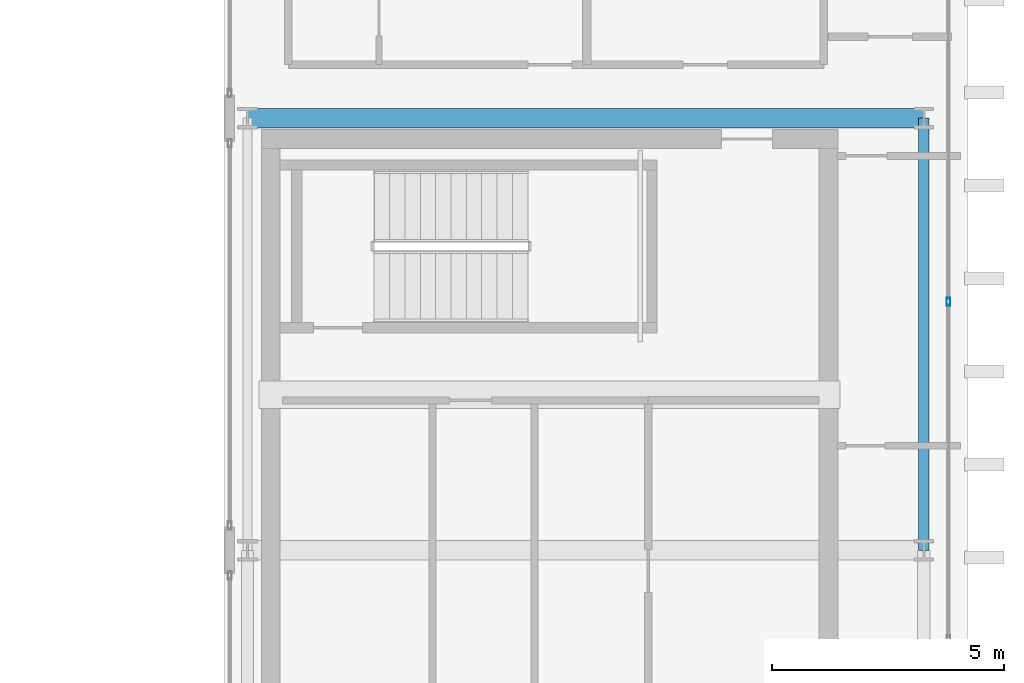
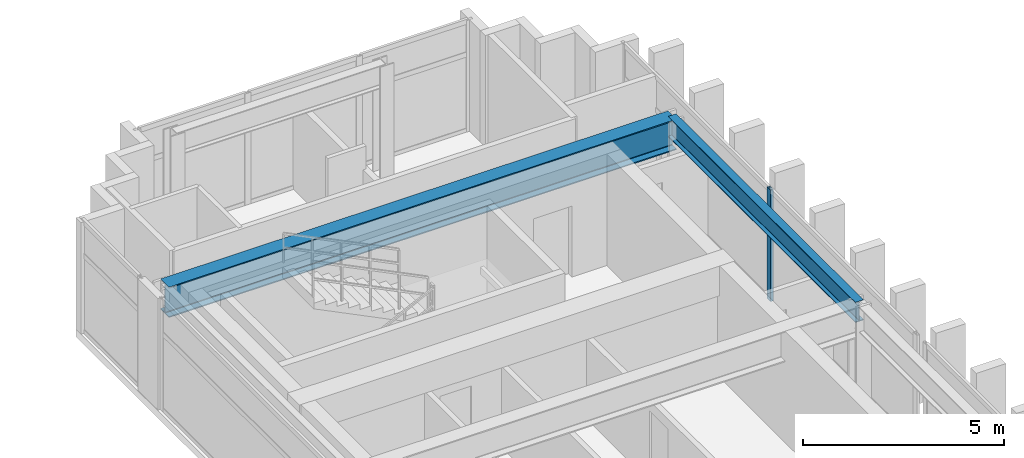
# One storey, part 14 of 25: 2 beams, 1 member, 1 element without a shape of its own.
"""IFC4 building model written with IfcOpenShell, lengths in metres."""

from ifc_helpers import new_model, si_unit, direction, frame, origin, origin_2d, place, context, subcontext, project, spatial, hollow_rectangle, i_section, extrude, source, transform, mapped, material, layer, layer_set, material_profile, profile_set, type_object, element, aggregate, save


model = new_model("IFC4")

# Units and contexts
model_context = context("Model", 3, precision=1e-05, world=origin(), true_north=direction((0.0, 1.0)))
body_context = subcontext(model_context, "Body", "Model", "MODEL_VIEW")
ifc_project = project(units=[si_unit("LENGTHUNIT", "METRE"), si_unit("AREAUNIT", "SQUARE_METRE"), si_unit("VOLUMEUNIT", "CUBIC_METRE"), si_unit("PLANEANGLEUNIT", "RADIAN"), si_unit("MASSUNIT", "GRAM", prefix="KILO")], contexts=[model_context])

# Site, building, storey
site_placement = place(None, origin())
site = spatial("IfcSite", under=ifc_project, at=site_placement, CompositionType="ELEMENT")
building_placement = place(site_placement, origin())
building = spatial("IfcBuilding", under=site, at=building_placement, Name="Ocotamira Hotel", CompositionType="ELEMENT")
storey_placement = place(building_placement, frame((0.0, 0.0, 258.0)))
storey = spatial("IfcBuildingStorey", under=building, at=storey_placement, Name="L65", CompositionType="ELEMENT", Elevation=258.0)

# Beams
ifc_material_1 = material(Name="Steel ASTM A992 Grade 50", Category="steel")
ifc_material_profile_1 = material_profile(ifc_material_1, i_section(OverallWidth=0.41796875, OverallDepth=0.927001953125, WebThickness=0.019287109375, FlangeThickness=0.031982421875, FilletRadius=0.02392578125, at=origin_2d()), Name="W36X231")
ifc_profile_set_1 = profile_set([ifc_material_profile_1], Name="Steel ASTM A992 Grade 50")
beam_type_1 = type_object("IfcBeamType", Name="BM-GIRD-W36X231", PredefinedType="BEAM", material=ifc_profile_set_1)
shared_shape_1 = source(origin(), body_context, "Body", "SweptSolid", [
    extrude(i_section(OverallWidth=0.41796875, OverallDepth=0.927001953125, WebThickness=0.019287109375, FlangeThickness=0.031982421875, FilletRadius=0.02392578125, at=origin_2d()), origin(), (0.0, 0.0, 1.0), 14.550048828125),
])
beam_1_placement = place(storey_placement, frame((40.5, 37.449951171875, 2.91650390625), z_axis=(1.0, 0.0, 0.0), x_axis=(0.0, 1.0, 0.0)))
element("IfcBeam", 1, at=beam_1_placement, inside=storey, type_object=beam_type_1, Name="L65 Girder Y37.45 X40.5-55.05", PredefinedType="BEAM", context=body_context, shape_type="MappedRepresentation", body=[
    mapped(shared_shape_1, transform((0.0, 0.0, 0.0), scale=1.0)),
])
ifc_material_profile_2 = material_profile(ifc_material_1, i_section(OverallWidth=0.22998046875, OverallDepth=0.616943359375, WebThickness=0.01318359375, FlangeThickness=0.022216796875, FilletRadius=0.012939453125, at=origin_2d()), Name="W24X94")
ifc_profile_set_2 = profile_set([ifc_material_profile_2], Name="Steel ASTM A992 Grade 50")
beam_type_2 = type_object("IfcBeamType", Name="BM-PRIM-W24X94", PredefinedType="BEAM", material=ifc_profile_set_2)
shared_shape_2 = source(origin(), body_context, "Body", "SweptSolid", [
    extrude(i_section(OverallWidth=0.22998046875, OverallDepth=0.616943359375, WebThickness=0.01318359375, FlangeThickness=0.022216796875, FilletRadius=0.012939453125, at=origin_2d()), origin(), (0.0, 0.0, 1.0), 9.300048828125),
])
beam_2_placement = place(storey_placement, frame((55.050048828125, 28.14990234375, 3.071533203125), z_axis=(0.0, 1.0, 0.0), x_axis=(-1.0, 0.0, 0.0)))
element("IfcBeam", 2, at=beam_2_placement, inside=storey, type_object=beam_type_2, Name="L65 Beam X55.05 Y28.15-37.45", PredefinedType="BEAM", context=body_context, shape_type="MappedRepresentation", body=[
    mapped(shared_shape_2, transform((0.0, 0.0, 0.0), scale=1.0)),
])

# Curtain wall, member
ifc_material_2 = material(Name="Anodised pale-metal aluminium and solar glass", Category="aluminium")
ifc_layer = layer(ifc_material_2, 0.2099609375)
ifc_layer_set = layer_set([ifc_layer], Name="Anodised pale-metal aluminium and solar glass")
curtain_wall_type = type_object("IfcCurtainWallType", Name="CW-SYS7-PEAK", PredefinedType="NOTDEFINED", material=ifc_layer_set)
curtain_wall_placement = place(storey_placement, origin())
curtain_wall = element("IfcCurtainWall", 3, at=curtain_wall_placement, inside=storey, type_object=curtain_wall_type, Name="L65 Curtain Wall CW-7 CW-L65-EO2", PredefinedType="NOTDEFINED")
ifc_material_3 = material(Name="Anodised pale-metal aluminium 6063-T6", Category="aluminium")
ifc_material_profile_3 = material_profile(ifc_material_3, hollow_rectangle(XDim=0.080078125, YDim=0.179931640625, WallThickness=0.006103515625, at=origin_2d()), Name="HSS180X80X6")
ifc_profile_set_3 = profile_set([ifc_material_profile_3], Name="Anodised pale-metal aluminium 6063-T6")
member_type = type_object("IfcMemberType", Name="CWM-180X75", PredefinedType="MULLION", material=ifc_profile_set_3)
shared_shape_3 = source(origin(), body_context, "Body", "SweptSolid", [
    extrude(hollow_rectangle(XDim=0.080078125, YDim=0.179931640625, WallThickness=0.006103515625, at=origin_2d()), origin(), (0.0, 0.0, 1.0), 3.3798828125),
])
member_placement = place(storey_placement, frame((55.580078125, 33.5, 0.0), z_axis=(0.0, 0.0, 1.0), x_axis=(-1.0, 0.0, 0.0)))
member = element("IfcMember", 4, at=member_placement, type_object=member_type, Name="CW-7 mullion 2", PredefinedType="MULLION", context=body_context, shape_type="MappedRepresentation", body=[
    mapped(shared_shape_3, transform((0.0, 0.0, 0.0), scale=1.0)),
])
aggregate(curtain_wall, [member])

save(model, "model.ifc")
